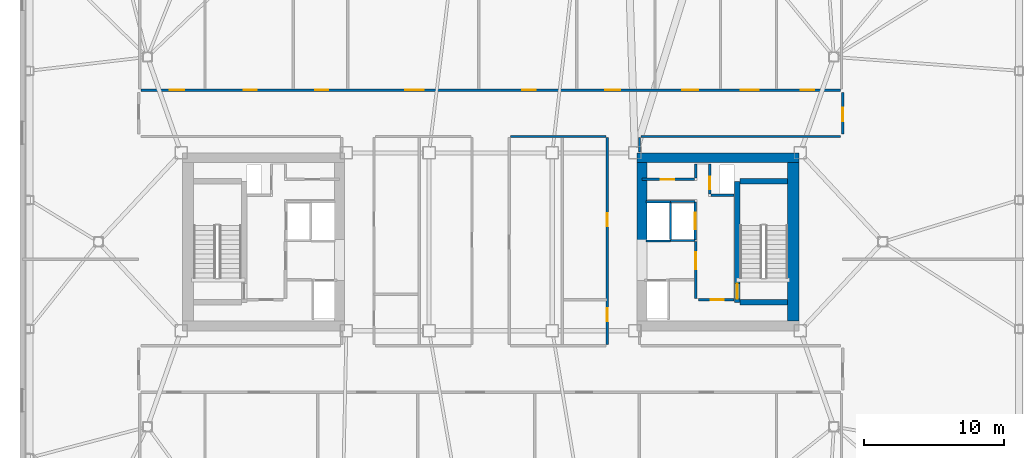
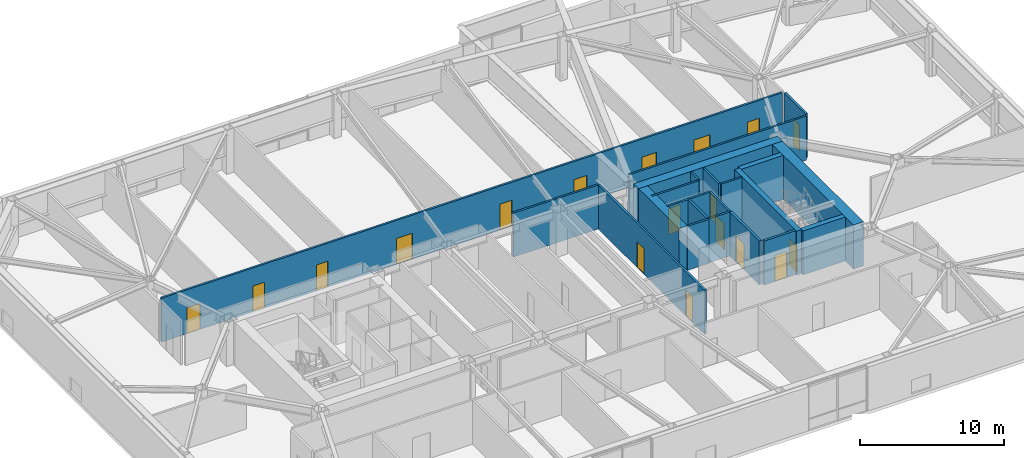
# One storey, part 12 of 19: 24 walls, 18 doors, 18 openings.
"""IFC4 building model written with IfcOpenShell, lengths in metres."""

from ifc_helpers import new_model, si_unit, direction, frame, frame_2d, origin, place, context, subcontext, project, spatial, rectangle, extrude, material, layer, layer_set, type_object, element, fill, save


model = new_model("IFC4")

# Units and contexts
model_context = context("Model", 3, precision=1e-05, world=origin(), true_north=direction((0.0, 1.0)))
body_context = subcontext(model_context, "Body", "Model", "MODEL_VIEW")
ifc_project = project(units=[si_unit("LENGTHUNIT", "METRE"), si_unit("AREAUNIT", "SQUARE_METRE"), si_unit("VOLUMEUNIT", "CUBIC_METRE"), si_unit("PLANEANGLEUNIT", "RADIAN"), si_unit("MASSUNIT", "GRAM", prefix="KILO")], contexts=[model_context])

# Site, building, storey
site_placement = place(None, origin())
site = spatial("IfcSite", under=ifc_project, at=site_placement, CompositionType="ELEMENT")
building_placement = place(site_placement, origin())
building = spatial("IfcBuilding", under=site, at=building_placement, Name="Tavrogorsk Clinical Tower", CompositionType="ELEMENT")
storey_placement = place(building_placement, frame((0.0, 0.0, 172.199951171875)))
storey = spatial("IfcBuildingStorey", under=building, at=storey_placement, Name="L39", CompositionType="ELEMENT", Elevation=172.199951171875)

# Wall, opening, door
ifc_material_1 = material(Name="Concrete B60", Category="concrete")
ifc_layer_1 = layer(ifc_material_1, 0.199951171875)
ifc_layer_set_1 = layer_set([ifc_layer_1], Name="Concrete B60")
wall_type_1 = type_object("IfcWallType", Name="CoreFireWall_200", PredefinedType="SOLIDWALL", material=ifc_layer_set_1)
wall_1_placement = place(storey_placement, frame((14.824951171875, -4.139892578125, 0.0), z_axis=(0.0, 0.0, 1.0), x_axis=(1.0, 0.0, 0.0)))
wall_1 = element("IfcWall", 1, at=wall_1_placement, inside=storey, type_object=wall_type_1, Name="L39 Core East South Core Room Fire Wall", PredefinedType="SOLIDWALL", context=body_context, shape_type="SweptSolid", body=[
    extrude(rectangle(XDim=2.554931640625, YDim=0.199951171875, at=frame_2d((1.27734375, 0.0))), origin(), (0.0, 0.0, 1.0), 3.739990234375),
])
opening_1_placement = place(wall_1_placement, frame((0.8798828125, 0.0, 0.0)))
opening_1 = element("IfcOpeningElement", 2, at=opening_1_placement, cuts=wall_1, Name="Opening ID-02", PredefinedType="OPENING", context=body_context, shape_type="SweptSolid", body=[
    extrude(rectangle(XDim=0.949951171875, YDim=2.199951171875, at=frame_2d((0.47509765625, 1.10009765625))), frame((0.0, 0.10986328125, 0.0), z_axis=(0.0, -1.0, 0.0), x_axis=(1.0, 0.0, 0.0)), (0.0, 0.0, 1.0), 0.219970703125),
])
ifc_material_2 = material(Name="Laminated timber leaf on aluminium frame", Category="wood")
door_type_1 = type_object("IfcDoorType", Name="InteriorDoor_ID02_950", OperationType="NOTDEFINED", PredefinedType="DOOR", material=ifc_material_2)
door_1_placement = place(opening_1_placement, origin())
door_1 = element("IfcDoor", 3, at=door_1_placement, inside=storey, type_object=door_type_1, Name="L39 Core East South Core Room Door", OperationType="SINGLE_SWING_RIGHT", OverallHeight=2.199951171875, OverallWidth=0.949951171875, PredefinedType="DOOR", context=body_context, shape_type="SweptSolid", body=[
    extrude(rectangle(XDim=0.949951171875, YDim=2.199951171875, at=frame_2d((0.47509765625, 1.10009765625))), frame((0.0, 0.02490234375, 0.0), z_axis=(0.0, -1.0, 0.0), x_axis=(1.0, 0.0, 0.0)), (0.0, 0.0, 1.0), 0.050048828125),
])
fill(opening_1, door_1)

wall_2_placement = place(storey_placement, frame((14.639892578125, -4.034912109375, 0.0), z_axis=(0.0, 0.0, 1.0), x_axis=(0.0, 1.0, 0.0)))
wall_2 = element("IfcWall", 4, at=wall_2_placement, inside=storey, type_object=wall_type_1, Name="L39 Core East Firefighting Lobby Fire Wall", PredefinedType="SOLIDWALL", context=body_context, shape_type="SweptSolid", body=[
    extrude(rectangle(XDim=4.074951171875, YDim=0.199951171875, at=frame_2d((2.03759765625, 0.0))), origin(), (0.0, 0.0, 1.0), 3.739990234375),
])
opening_2_placement = place(wall_2_placement, frame((2.090087890625, 0.0, 0.0)))
opening_2 = element("IfcOpeningElement", 5, at=opening_2_placement, cuts=wall_2, Name="Opening FD-01", PredefinedType="OPENING", context=body_context, shape_type="SweptSolid", body=[
    extrude(rectangle(XDim=1.199951171875, YDim=2.199951171875, at=frame_2d((0.60009765625, 1.10009765625))), frame((0.0, 0.10986328125, 0.0), z_axis=(0.0, -1.0, 0.0), x_axis=(1.0, 0.0, 0.0)), (0.0, 0.0, 1.0), 0.219970703125),
])
ifc_material_3 = material(Name="Galvanised steel fire-rated door assembly", Category="steel")
door_type_2 = type_object("IfcDoorType", Name="FireDoor_FD01_1200", OperationType="NOTDEFINED", PredefinedType="DOOR", material=ifc_material_3)
door_2_placement = place(opening_2_placement, origin())
door_2 = element("IfcDoor", 6, at=door_2_placement, inside=storey, type_object=door_type_2, Name="L39 Core East Firefighting Lobby Entry Door", OperationType="SINGLE_SWING_RIGHT", OverallHeight=2.199951171875, OverallWidth=1.199951171875, PredefinedType="DOOR", context=body_context, shape_type="SweptSolid", body=[
    extrude(rectangle(XDim=1.199951171875, YDim=2.199951171875, at=frame_2d((0.60009765625, 1.10009765625))), frame((0.0, 0.02490234375, 0.0), z_axis=(0.0, -1.0, 0.0), x_axis=(1.0, 0.0, 0.0)), (0.0, 0.0, 1.0), 0.050048828125),
])
fill(opening_2, door_2)

ifc_material_4 = material(Name="Lightweight concrete blockwork B15", Category="masonry")
ifc_layer_2 = layer(ifc_material_4, 0.159912109375)
ifc_layer_set_2 = layer_set([ifc_layer_2], Name="Lightweight concrete blockwork B15")
wall_type_2 = type_object("IfcWallType", Name="PartitionWall_160", PredefinedType="PARTITIONING", material=ifc_layer_set_2)
wall_3_placement = place(storey_placement, frame((10.800048828125, 4.4599609375, 0.0), z_axis=(0.0, 0.0, 1.0), x_axis=(1.0, 0.0, 0.0)))
wall_3 = element("IfcWall", 7, at=wall_3_placement, inside=storey, type_object=wall_type_2, Name="L39 Core East Pneumatic Dispatch South Wall", PredefinedType="PARTITIONING", context=body_context, shape_type="SweptSolid", body=[
    extrude(rectangle(XDim=3.7548828125, YDim=0.159912109375, at=frame_2d((1.87744140625, 0.0))), origin(), (0.0, 0.0, 1.0), 3.739990234375),
])
opening_3_placement = place(wall_3_placement, frame((1.35009765625, 0.0, 0.0)))
opening_3 = element("IfcOpeningElement", 8, at=opening_3_placement, cuts=wall_3, Name="Opening ID-02", PredefinedType="OPENING", context=body_context, shape_type="SweptSolid", body=[
    extrude(rectangle(XDim=0.949951171875, YDim=2.199951171875, at=frame_2d((0.47509765625, 1.10009765625))), frame((0.0, 0.08984375, 0.0), z_axis=(0.0, -1.0, 0.0), x_axis=(1.0, 0.0, 0.0)), (0.0, 0.0, 1.0), 0.179931640625),
])
door_3_placement = place(opening_3_placement, origin())
door_3 = element("IfcDoor", 9, at=door_3_placement, inside=storey, type_object=door_type_1, Name="L39 Core East Pneumatic Dispatch Door", OperationType="SINGLE_SWING_LEFT", OverallHeight=2.199951171875, OverallWidth=0.949951171875, PredefinedType="DOOR", context=body_context, shape_type="SweptSolid", body=[
    extrude(rectangle(XDim=0.949951171875, YDim=2.199951171875, at=frame_2d((0.47509765625, 1.10009765625))), frame((0.0, 0.02490234375, 0.0), z_axis=(0.0, -1.0, 0.0), x_axis=(1.0, 0.0, 0.0)), (0.0, 0.0, 1.0), 0.050048828125),
])
fill(opening_3, door_3)

# Wall
wall_4_placement = place(storey_placement, frame((14.639892578125, 4.544921875, 0.0), z_axis=(0.0, 0.0, 1.0), x_axis=(0.0, 1.0, 0.0)))
element("IfcWall", 10, at=wall_4_placement, inside=storey, type_object=wall_type_2, Name="L39 Core East Pneumatic Dispatch East Wall", PredefinedType="PARTITIONING", context=body_context, shape_type="SweptSolid", body=[
    extrude(rectangle(XDim=1.01513671875, YDim=0.159912109375, at=frame_2d((0.507568359375, 0.0))), origin(), (0.0, 0.0, 1.0), 3.739990234375),
])

# Wall, openings, doors
wall_5_placement = place(storey_placement, frame((-24.965087890625, 10.830078125, 0.0), z_axis=(0.0, 0.0, 1.0), x_axis=(1.0, 0.0, 0.0)))
wall_5 = element("IfcWall", 11, at=wall_5_placement, inside=storey, type_object=wall_type_2, Name="L39 Corridor Partition 07", PredefinedType="PARTITIONING", context=body_context, shape_type="SweptSolid", body=[
    extrude(rectangle(XDim=49.93017578125, YDim=0.159912109375, at=frame_2d((24.965087890625, 0.0))), origin(), (0.0, 0.0, 1.0), 3.739990234375),
])
opening_4_placement = place(wall_5_placement, frame((2.044189453125, 0.0, 0.0)))
opening_4 = element("IfcOpeningElement", 12, at=opening_4_placement, cuts=wall_5, Name="Opening ID-04", PredefinedType="OPENING", context=body_context, shape_type="SweptSolid", body=[
    extrude(rectangle(XDim=1.050048828125, YDim=2.199951171875, at=frame_2d((0.52490234375, 1.10009765625))), frame((0.0, 0.08984375, 0.0), z_axis=(0.0, -1.0, 0.0), x_axis=(1.0, 0.0, 0.0)), (0.0, 0.0, 1.0), 0.179931640625),
])
opening_5_placement = place(wall_5_placement, frame((7.330078125, 0.0, 0.0)))
opening_5 = element("IfcOpeningElement", 13, at=opening_5_placement, cuts=wall_5, Name="Opening ID-02", PredefinedType="OPENING", context=body_context, shape_type="SweptSolid", body=[
    extrude(rectangle(XDim=0.949951171875, YDim=2.199951171875, at=frame_2d((0.47509765625, 1.10009765625))), frame((0.0, 0.08984375, 0.0), z_axis=(0.0, -1.0, 0.0), x_axis=(1.0, 0.0, 0.0)), (0.0, 0.0, 1.0), 0.179931640625),
])
opening_6_placement = place(wall_5_placement, frame((12.429931640625, 0.0, 0.0)))
opening_6 = element("IfcOpeningElement", 14, at=opening_6_placement, cuts=wall_5, Name="Opening ID-02", PredefinedType="OPENING", context=body_context, shape_type="SweptSolid", body=[
    extrude(rectangle(XDim=0.949951171875, YDim=2.199951171875, at=frame_2d((0.47509765625, 1.10009765625))), frame((0.0, 0.08984375, 0.0), z_axis=(0.0, -1.0, 0.0), x_axis=(1.0, 0.0, 0.0)), (0.0, 0.0, 1.0), 0.179931640625),
])
opening_7_placement = place(wall_5_placement, frame((18.875, 0.0, 0.0)))
opening_7 = element("IfcOpeningElement", 15, at=opening_7_placement, cuts=wall_5, Name="Opening ID-01", PredefinedType="OPENING", context=body_context, shape_type="SweptSolid", body=[
    extrude(rectangle(XDim=1.300048828125, YDim=2.199951171875, at=frame_2d((0.64990234375, 1.10009765625))), frame((0.0, 0.08984375, 0.0), z_axis=(0.0, -1.0, 0.0), x_axis=(1.0, 0.0, 0.0)), (0.0, 0.0, 1.0), 0.179931640625),
])
opening_8_placement = place(wall_5_placement, frame((27.22509765625, 0.0, 0.0)))
opening_8 = element("IfcOpeningElement", 16, at=opening_8_placement, cuts=wall_5, Name="Opening ID-02", PredefinedType="OPENING", context=body_context, shape_type="SweptSolid", body=[
    extrude(rectangle(XDim=0.949951171875, YDim=2.199951171875, at=frame_2d((0.47509765625, 1.10009765625))), frame((0.0, 0.08984375, 0.0), z_axis=(0.0, -1.0, 0.0), x_axis=(1.0, 0.0, 0.0)), (0.0, 0.0, 1.0), 0.179931640625),
])
opening_9_placement = place(wall_5_placement, frame((33.152587890625, 0.0, 0.0)))
opening_9 = element("IfcOpeningElement", 17, at=opening_9_placement, cuts=wall_5, Name="Opening ID-04", PredefinedType="OPENING", context=body_context, shape_type="SweptSolid", body=[
    extrude(rectangle(XDim=1.050048828125, YDim=2.199951171875, at=frame_2d((0.52490234375, 1.10009765625))), frame((0.0, 0.08984375, 0.0), z_axis=(0.0, -1.0, 0.0), x_axis=(1.0, 0.0, 0.0)), (0.0, 0.0, 1.0), 0.179931640625),
])
opening_10_placement = place(wall_5_placement, frame((38.637451171875, 0.0, 0.0)))
opening_10 = element("IfcOpeningElement", 18, at=opening_10_placement, cuts=wall_5, Name="Opening ID-06", PredefinedType="OPENING", context=body_context, shape_type="SweptSolid", body=[
    extrude(rectangle(XDim=1.14990234375, YDim=2.199951171875, at=frame_2d((0.574951171875, 1.10009765625))), frame((0.0, 0.08984375, 0.0), z_axis=(0.0, -1.0, 0.0), x_axis=(1.0, 0.0, 0.0)), (0.0, 0.0, 1.0), 0.179931640625),
])
opening_11_placement = place(wall_5_placement, frame((42.800048828125, 0.0, 0.0)))
opening_11 = element("IfcOpeningElement", 19, at=opening_11_placement, cuts=wall_5, Name="Opening ID-01", PredefinedType="OPENING", context=body_context, shape_type="SweptSolid", body=[
    extrude(rectangle(XDim=1.300048828125, YDim=2.199951171875, at=frame_2d((0.64990234375, 1.10009765625))), frame((0.0, 0.08984375, 0.0), z_axis=(0.0, -1.0, 0.0), x_axis=(1.0, 0.0, 0.0)), (0.0, 0.0, 1.0), 0.179931640625),
])
opening_12_placement = place(wall_5_placement, frame((47.10595703125, 0.0, 0.0)))
opening_12 = element("IfcOpeningElement", 20, at=opening_12_placement, cuts=wall_5, Name="Opening ID-02", PredefinedType="OPENING", context=body_context, shape_type="SweptSolid", body=[
    extrude(rectangle(XDim=0.949951171875, YDim=2.199951171875, at=frame_2d((0.47509765625, 1.10009765625))), frame((0.0, 0.08984375, 0.0), z_axis=(0.0, -1.0, 0.0), x_axis=(1.0, 0.0, 0.0)), (0.0, 0.0, 1.0), 0.179931640625),
])
ifc_material_5 = material(Name="Antibacterial HPL consultation door on aluminium frame", Category="aluminium")
door_type_3 = type_object("IfcDoorType", Name="ConsultDoor_ID04_1050", OperationType="NOTDEFINED", PredefinedType="DOOR", material=ifc_material_5)
door_4_placement = place(opening_4_placement, origin())
door_4 = element("IfcDoor", 21, at=door_4_placement, inside=storey, type_object=door_type_3, Name="L39 North Physician Consultation Office 01 Door", OperationType="SINGLE_SWING_LEFT", OverallHeight=2.199951171875, OverallWidth=1.050048828125, PredefinedType="DOOR", context=body_context, shape_type="SweptSolid", body=[
    extrude(rectangle(XDim=1.050048828125, YDim=2.199951171875, at=frame_2d((0.52490234375, 1.10009765625))), frame((0.0, 0.02490234375, 0.0), z_axis=(0.0, -1.0, 0.0), x_axis=(1.0, 0.0, 0.0)), (0.0, 0.0, 1.0), 0.050048828125),
])
fill(opening_4, door_4)
door_5_placement = place(opening_9_placement, origin())
door_5 = element("IfcDoor", 22, at=door_5_placement, inside=storey, type_object=door_type_3, Name="L39 North Multidisciplinary Case Room 05A Door", OperationType="SINGLE_SWING_RIGHT", OverallHeight=2.199951171875, OverallWidth=1.050048828125, PredefinedType="DOOR", context=body_context, shape_type="SweptSolid", body=[
    extrude(rectangle(XDim=1.050048828125, YDim=2.199951171875, at=frame_2d((0.52490234375, 1.10009765625))), frame((0.0, 0.02490234375, 0.0), z_axis=(0.0, -1.0, 0.0), x_axis=(1.0, 0.0, 0.0)), (0.0, 0.0, 1.0), 0.050048828125),
])
fill(opening_9, door_5)
door_6_placement = place(opening_5_placement, origin())
door_6 = element("IfcDoor", 23, at=door_6_placement, inside=storey, type_object=door_type_1, Name="L39 North Patient & Family Quiet Lounge 02A Door", OperationType="SINGLE_SWING_RIGHT", OverallHeight=2.199951171875, OverallWidth=0.949951171875, PredefinedType="DOOR", context=body_context, shape_type="SweptSolid", body=[
    extrude(rectangle(XDim=0.949951171875, YDim=2.199951171875, at=frame_2d((0.47509765625, 1.10009765625))), frame((0.0, 0.02490234375, 0.0), z_axis=(0.0, -1.0, 0.0), x_axis=(1.0, 0.0, 0.0)), (0.0, 0.0, 1.0), 0.050048828125),
])
fill(opening_5, door_6)
door_7_placement = place(opening_6_placement, origin())
door_7 = element("IfcDoor", 24, at=door_7_placement, inside=storey, type_object=door_type_1, Name="L39 North Physiotherapy Rehab Studio 02B Door", OperationType="SINGLE_SWING_LEFT", OverallHeight=2.199951171875, OverallWidth=0.949951171875, PredefinedType="DOOR", context=body_context, shape_type="SweptSolid", body=[
    extrude(rectangle(XDim=0.949951171875, YDim=2.199951171875, at=frame_2d((0.47509765625, 1.10009765625))), frame((0.0, 0.02490234375, 0.0), z_axis=(0.0, -1.0, 0.0), x_axis=(1.0, 0.0, 0.0)), (0.0, 0.0, 1.0), 0.050048828125),
])
fill(opening_6, door_7)
door_8_placement = place(opening_8_placement, origin())
door_8 = element("IfcDoor", 25, at=door_8_placement, inside=storey, type_object=door_type_1, Name="L39 Terrace Recuperation Day Room & Lounge Door", OperationType="SINGLE_SWING_LEFT", OverallHeight=2.199951171875, OverallWidth=0.949951171875, PredefinedType="DOOR", context=body_context, shape_type="SweptSolid", body=[
    extrude(rectangle(XDim=0.949951171875, YDim=2.199951171875, at=frame_2d((0.47509765625, 1.10009765625))), frame((0.0, 0.02490234375, 0.0), z_axis=(0.0, -1.0, 0.0), x_axis=(1.0, 0.0, 0.0)), (0.0, 0.0, 1.0), 0.050048828125),
])
fill(opening_8, door_8)
door_9_placement = place(opening_12_placement, origin())
door_9 = element("IfcDoor", 26, at=door_9_placement, inside=storey, type_object=door_type_1, Name="L39 North Clinical Examination Suite 07 Door", OperationType="SINGLE_SWING_LEFT", OverallHeight=2.199951171875, OverallWidth=0.949951171875, PredefinedType="DOOR", context=body_context, shape_type="SweptSolid", body=[
    extrude(rectangle(XDim=0.949951171875, YDim=2.199951171875, at=frame_2d((0.47509765625, 1.10009765625))), frame((0.0, 0.02490234375, 0.0), z_axis=(0.0, -1.0, 0.0), x_axis=(1.0, 0.0, 0.0)), (0.0, 0.0, 1.0), 0.050048828125),
])
fill(opening_12, door_9)
ifc_material_6 = material(Name="Antibacterial HPL procedure door on aluminium frame", Category="aluminium")
door_type_4 = type_object("IfcDoorType", Name="LabDoor_ID06_1150", OperationType="NOTDEFINED", PredefinedType="DOOR", material=ifc_material_6)
door_10_placement = place(opening_10_placement, origin())
door_10 = element("IfcDoor", 27, at=door_10_placement, inside=storey, type_object=door_type_4, Name="L39 North Patient & Family Quiet Lounge 05B Door", OperationType="SINGLE_SWING_LEFT", OverallHeight=2.199951171875, OverallWidth=1.14990234375, PredefinedType="DOOR", context=body_context, shape_type="SweptSolid", body=[
    extrude(rectangle(XDim=1.14990234375, YDim=2.199951171875, at=frame_2d((0.574951171875, 1.10009765625))), frame((0.0, 0.02490234375, 0.0), z_axis=(0.0, -1.0, 0.0), x_axis=(1.0, 0.0, 0.0)), (0.0, 0.0, 1.0), 0.050048828125),
])
fill(opening_10, door_10)
ifc_material_7 = material(Name="Antibacterial HPL medical leaf on aluminium frame", Category="aluminium")
door_type_5 = type_object("IfcDoorType", Name="WardBedDoor_ID01_1300", OperationType="NOTDEFINED", PredefinedType="DOOR", material=ifc_material_7)
door_11_placement = place(opening_7_placement, origin())
door_11 = element("IfcDoor", 28, at=door_11_placement, inside=storey, type_object=door_type_5, Name="L39 North Acute Isolation Suite 03 Door", OperationType="SINGLE_SWING_RIGHT", OverallHeight=2.199951171875, OverallWidth=1.300048828125, PredefinedType="DOOR", context=body_context, shape_type="SweptSolid", body=[
    extrude(rectangle(XDim=1.300048828125, YDim=2.199951171875, at=frame_2d((0.64990234375, 1.10009765625))), frame((0.0, 0.02490234375, 0.0), z_axis=(0.0, -1.0, 0.0), x_axis=(1.0, 0.0, 0.0)), (0.0, 0.0, 1.0), 0.050048828125),
])
fill(opening_7, door_11)
door_12_placement = place(opening_11_placement, origin())
door_12 = element("IfcDoor", 29, at=door_12_placement, inside=storey, type_object=door_type_5, Name="L39 North Inpatient Clinical Ward 06 Door", OperationType="SINGLE_SWING_RIGHT", OverallHeight=2.199951171875, OverallWidth=1.300048828125, PredefinedType="DOOR", context=body_context, shape_type="SweptSolid", body=[
    extrude(rectangle(XDim=1.300048828125, YDim=2.199951171875, at=frame_2d((0.64990234375, 1.10009765625))), frame((0.0, 0.02490234375, 0.0), z_axis=(0.0, -1.0, 0.0), x_axis=(1.0, 0.0, 0.0)), (0.0, 0.0, 1.0), 0.050048828125),
])
fill(opening_11, door_12)

# Wall, opening, door
wall_6_placement = place(storey_placement, frame((25.1298828125, 10.6650390625, 0.0), z_axis=(0.0, 0.0, 1.0), x_axis=(0.0, -1.0, 0.0)))
wall_6 = element("IfcWall", 30, at=wall_6_placement, inside=storey, type_object=wall_type_2, Name="L39 Corridor Partition 08", PredefinedType="PARTITIONING", context=body_context, shape_type="SweptSolid", body=[
    extrude(rectangle(XDim=2.97998046875, YDim=0.159912109375, at=frame_2d((1.489990234375, 0.0))), origin(), (0.0, 0.0, 1.0), 3.739990234375),
])
opening_13_placement = place(wall_6_placement, frame((1.10009765625, 0.0, 0.0)))
opening_13 = element("IfcOpeningElement", 31, at=opening_13_placement, cuts=wall_6, Name="Opening ID-02", PredefinedType="OPENING", context=body_context, shape_type="SweptSolid", body=[
    extrude(rectangle(XDim=0.949951171875, YDim=2.199951171875, at=frame_2d((0.47509765625, 1.10009765625))), frame((0.0, 0.08984375, 0.0), z_axis=(0.0, -1.0, 0.0), x_axis=(1.0, 0.0, 0.0)), (0.0, 0.0, 1.0), 0.179931640625),
])
door_13_placement = place(opening_13_placement, origin())
door_13 = element("IfcDoor", 32, at=door_13_placement, inside=storey, type_object=door_type_1, Name="L39 E Multidisciplinary Seminar Suite 2 Door", OperationType="SINGLE_SWING_RIGHT", OverallHeight=2.199951171875, OverallWidth=0.949951171875, PredefinedType="DOOR", context=body_context, shape_type="SweptSolid", body=[
    extrude(rectangle(XDim=0.949951171875, YDim=2.199951171875, at=frame_2d((0.47509765625, 1.10009765625))), frame((0.0, 0.02490234375, 0.0), z_axis=(0.0, -1.0, 0.0), x_axis=(1.0, 0.0, 0.0)), (0.0, 0.0, 1.0), 0.050048828125),
])
fill(opening_13, door_13)

# Walls
wall_7_placement = place(storey_placement, frame((24.965087890625, 7.52001953125, 0.0), z_axis=(0.0, 0.0, 1.0), x_axis=(-1.0, 0.0, 0.0)))
element("IfcWall", 33, at=wall_7_placement, inside=storey, type_object=wall_type_2, Name="L39 Corridor Partition 09", PredefinedType="PARTITIONING", context=body_context, shape_type="SweptSolid", body=[
    extrude(rectangle(XDim=14.25, YDim=0.159912109375, at=frame_2d((7.125, 0.0))), origin(), (0.0, 0.0, 1.0), 3.739990234375),
])
wall_8_placement = place(storey_placement, frame((10.6298828125, 7.43505859375, 0.0), z_axis=(0.0, 0.0, 1.0), x_axis=(0.0, -1.0, 0.0)))
element("IfcWall", 34, at=wall_8_placement, inside=storey, type_object=wall_type_2, Name="L39 Corridor Partition 10", PredefinedType="PARTITIONING", context=body_context, shape_type="SweptSolid", body=[
    extrude(rectangle(XDim=1.01513671875, YDim=0.159912109375, at=frame_2d((0.507568359375, 0.0))), origin(), (0.0, 0.0, 1.0), 1.53515625),
])
wall_9_placement = place(storey_placement, frame((8.235107421875, 7.52001953125, 0.0), z_axis=(0.0, 0.0, 1.0), x_axis=(-1.0, 0.0, 0.0)))
element("IfcWall", 35, at=wall_9_placement, inside=storey, type_object=wall_type_2, Name="L39 Corridor Partition 15", PredefinedType="PARTITIONING", context=body_context, shape_type="SweptSolid", body=[
    extrude(rectangle(XDim=6.820068359375, YDim=0.159912109375, at=frame_2d((3.41015625, 0.0))), origin(), (0.0, 0.0, 1.0), 3.739990234375),
])

# Wall, openings, doors
wall_10_placement = place(storey_placement, frame((8.320068359375, -7.3349609375, 0.0), z_axis=(0.0, 0.0, 1.0), x_axis=(0.0, 1.0, 0.0)))
wall_10 = element("IfcWall", 36, at=wall_10_placement, inside=storey, type_object=wall_type_2, Name="L39 Corridor Partition 18", PredefinedType="PARTITIONING", context=body_context, shape_type="SweptSolid", body=[
    extrude(rectangle(XDim=14.77001953125, YDim=0.159912109375, at=frame_2d((7.385009765625, 0.0))), origin(), (0.0, 0.0, 1.0), 3.739990234375),
])
opening_14_placement = place(wall_10_placement, frame((1.654052734375, 0.0, 0.0)))
opening_14 = element("IfcOpeningElement", 37, at=opening_14_placement, cuts=wall_10, Name="Opening ID-02", PredefinedType="OPENING", context=body_context, shape_type="SweptSolid", body=[
    extrude(rectangle(XDim=0.949951171875, YDim=2.199951171875, at=frame_2d((0.47509765625, 1.10009765625))), frame((0.0, 0.08984375, 0.0), z_axis=(0.0, -1.0, 0.0), x_axis=(1.0, 0.0, 0.0)), (0.0, 0.0, 1.0), 0.179931640625),
])
opening_15_placement = place(wall_10_placement, frame((8.435791015625, 0.0, 0.0)))
opening_15 = element("IfcOpeningElement", 38, at=opening_15_placement, cuts=wall_10, Name="Opening ID-02", PredefinedType="OPENING", context=body_context, shape_type="SweptSolid", body=[
    extrude(rectangle(XDim=0.949951171875, YDim=2.199951171875, at=frame_2d((0.47509765625, 1.10009765625))), frame((0.0, 0.08984375, 0.0), z_axis=(0.0, -1.0, 0.0), x_axis=(1.0, 0.0, 0.0)), (0.0, 0.0, 1.0), 0.179931640625),
])
door_14_placement = place(opening_14_placement, origin())
door_14 = element("IfcDoor", 39, at=door_14_placement, inside=storey, type_object=door_type_1, Name="L39 Staff & Visitor Accessible WC Door", OperationType="SINGLE_SWING_LEFT", OverallHeight=2.199951171875, OverallWidth=0.949951171875, PredefinedType="DOOR", context=body_context, shape_type="SweptSolid", body=[
    extrude(rectangle(XDim=0.949951171875, YDim=2.199951171875, at=frame_2d((0.47509765625, 1.10009765625))), frame((0.0, 0.02490234375, 0.0), z_axis=(0.0, -1.0, 0.0), x_axis=(1.0, 0.0, 0.0)), (0.0, 0.0, 1.0), 0.050048828125),
])
fill(opening_14, door_14)
door_15_placement = place(opening_15_placement, origin())
door_15 = element("IfcDoor", 40, at=door_15_placement, inside=storey, type_object=door_type_1, Name="L39 Resident Clinician Study Door", OperationType="SINGLE_SWING_RIGHT", OverallHeight=2.199951171875, OverallWidth=0.949951171875, PredefinedType="DOOR", context=body_context, shape_type="SweptSolid", body=[
    extrude(rectangle(XDim=0.949951171875, YDim=2.199951171875, at=frame_2d((0.47509765625, 1.10009765625))), frame((0.0, 0.02490234375, 0.0), z_axis=(0.0, -1.0, 0.0), x_axis=(1.0, 0.0, 0.0)), (0.0, 0.0, 1.0), 0.050048828125),
])
fill(opening_15, door_15)

# Wall, opening, door
ifc_material_8 = material(Name="Lightweight concrete blockwork B25", Category="masonry")
ifc_layer_3 = layer(ifc_material_8, 0.159912109375)
ifc_layer_set_3 = layer_set([ifc_layer_3], Name="Lightweight concrete blockwork B25")
wall_type_3 = type_object("IfcWallType", Name="ShaftWall_160", PredefinedType="PARTITIONING", material=ifc_layer_set_3)
wall_11_placement = place(storey_placement, frame((14.60009765625, 0.1201171875, 0.0), z_axis=(0.0, 0.0, 1.0), x_axis=(0.0, 1.0, 0.0)))
wall_11 = element("IfcWall", 41, at=wall_11_placement, inside=storey, type_object=wall_type_3, Name="L39 FFL-E Firefighting Lift Front Wall", PredefinedType="PARTITIONING", context=body_context, shape_type="SweptSolid", body=[
    extrude(rectangle(XDim=2.739990234375, YDim=0.159912109375, at=frame_2d((1.3701171875, 0.0))), origin(), (0.0, 0.0, 1.0), 3.739990234375),
])
opening_16_placement = place(wall_11_placement, frame((0.77001953125, 0.0, 0.0)))
opening_16 = element("IfcOpeningElement", 42, at=opening_16_placement, cuts=wall_11, Name="Opening LD", PredefinedType="OPENING", context=body_context, shape_type="SweptSolid", body=[
    extrude(rectangle(XDim=1.199951171875, YDim=2.199951171875, at=frame_2d((0.60009765625, 1.10009765625))), frame((0.0, 0.08984375, 0.0), z_axis=(0.0, -1.0, 0.0), x_axis=(1.0, 0.0, 0.0)), (0.0, 0.0, 1.0), 0.179931640625),
])
ifc_material_9 = material(Name="Brushed stainless steel AISI 304 sliding doors", Category="steel")
door_type_6 = type_object("IfcDoorType", Name="LiftLandingDoor_LD_1200", OperationType="SLIDING_TO_LEFT", PredefinedType="DOOR", material=ifc_material_9)
door_16_placement = place(opening_16_placement, origin())
door_16 = element("IfcDoor", 43, at=door_16_placement, inside=storey, type_object=door_type_6, Name="L39 FFL-E Sliding Lift Landing Door", OperationType="SLIDING_TO_LEFT", OverallHeight=2.199951171875, OverallWidth=1.199951171875, PredefinedType="DOOR", context=body_context, shape_type="SweptSolid", body=[
    extrude(rectangle(XDim=1.199951171875, YDim=2.199951171875, at=frame_2d((0.60009765625, 1.10009765625))), frame((0.0, 0.02490234375, 0.0), z_axis=(0.0, -1.0, 0.0), x_axis=(1.0, 0.0, 0.0)), (0.0, 0.0, 1.0), 0.050048828125),
])
fill(opening_16, door_16)

# Walls
for number, where, z_axis, x_axis, name in (
    (44, (12.840087890625, 0.10009765625, 0.0), (0.0, 0.0, 1.0), (1.0, 0.0, 0.0), "L39 FFL-E Shaft South Wall"),
    (45, (12.840087890625, 2.8798828125, 0.0), (0.0, 0.0, 1.0), (1.0, 0.0, 0.0), "L39 FFL-E Shaft North Wall"),
):
    element("IfcWall", number, at=place(storey_placement, frame(where, z_axis=z_axis, x_axis=x_axis)), inside=storey, type_object=wall_type_3, Name=name, PredefinedType="PARTITIONING", context=body_context, shape_type="SweptSolid", body=[
        extrude(rectangle(XDim=1.760009765625, YDim=0.159912109375, at=frame_2d((0.8798828125, 0.0))), origin(), (0.0, 0.0, 1.0), 3.739990234375),
    ])
wall_12_placement = place(storey_placement, frame((12.840087890625, 0.179931640625, 0.0), z_axis=(0.0, 0.0, 1.0), x_axis=(0.0, 1.0, 0.0)))
element("IfcWall", 46, at=wall_12_placement, inside=storey, type_object=wall_type_3, Name="L39 FFL-E Shaft Back Wall", PredefinedType="PARTITIONING", context=body_context, shape_type="SweptSolid", body=[
    extrude(rectangle(XDim=2.6201171875, YDim=0.159912109375, at=frame_2d((1.31005859375, 0.0))), origin(), (0.0, 0.0, 1.0), 3.739990234375),
])
for number, where, z_axis, x_axis, name in (
    (47, (11.10009765625, 0.06005859375, 0.0), (0.0, 0.0, 1.0), (1.0, 0.0, 0.0), "L39 LP-H2 High-Zone Lift Portal Wall"),
    (48, (11.10009765625, 2.860107421875, 0.0), (0.0, 0.0, 1.0), (1.0, 0.0, 0.0), "L39 LP-H2 High-Zone Lift Rear Wall"),
):
    element("IfcWall", number, at=place(storey_placement, frame(where, z_axis=z_axis, x_axis=x_axis)), inside=storey, type_object=wall_type_3, Name=name, PredefinedType="PARTITIONING", context=body_context, shape_type="SweptSolid", body=[
        extrude(rectangle(XDim=1.719970703125, YDim=0.159912109375, at=frame_2d((0.85986328125, 0.0))), origin(), (0.0, 0.0, 1.0), 3.739990234375),
    ])

# Wall, opening, door
wall_13_placement = place(storey_placement, frame((15.639892578125, 3.405029296875, 0.0), z_axis=(0.0, 0.0, 1.0), x_axis=(0.0, 1.0, 0.0)))
wall_13 = element("IfcWall", 49, at=wall_13_placement, inside=storey, type_object=wall_type_3, Name="L39 Core East Riser West Wall", PredefinedType="PARTITIONING", context=body_context, shape_type="SweptSolid", body=[
    extrude(rectangle(XDim=2.155029296875, YDim=0.159912109375, at=frame_2d((1.07763671875, 0.0))), origin(), (0.0, 0.0, 1.0), 3.739990234375),
])
opening_17_placement = place(wall_13_placement, frame((0.35009765625, 0.0, 0.0)))
opening_17 = element("IfcOpeningElement", 50, at=opening_17_placement, cuts=wall_13, Name="Opening FD-02", PredefinedType="OPENING", context=body_context, shape_type="SweptSolid", body=[
    extrude(rectangle(XDim=0.89990234375, YDim=2.199951171875, at=frame_2d((0.449951171875, 1.10009765625))), frame((0.0, 0.08984375, 0.0), z_axis=(0.0, -1.0, 0.0), x_axis=(1.0, 0.0, 0.0)), (0.0, 0.0, 1.0), 0.179931640625),
])
ifc_material_10 = material(Name="Galvanised steel fire-rated door assembly", Category="steel")
door_type_7 = type_object("IfcDoorType", Name="FireDoor_FD02_900", OperationType="NOTDEFINED", PredefinedType="DOOR", material=ifc_material_10)
door_17_placement = place(opening_17_placement, origin())
door_17 = element("IfcDoor", 51, at=door_17_placement, inside=storey, type_object=door_type_7, Name="L39 Core East Electrical Riser Access Door", OperationType="SINGLE_SWING_LEFT", OverallHeight=2.199951171875, OverallWidth=0.89990234375, PredefinedType="DOOR", context=body_context, shape_type="SweptSolid", body=[
    extrude(rectangle(XDim=0.89990234375, YDim=2.199951171875, at=frame_2d((0.449951171875, 1.10009765625))), frame((0.0, 0.02490234375, 0.0), z_axis=(0.0, -1.0, 0.0), x_axis=(1.0, 0.0, 0.0)), (0.0, 0.0, 1.0), 0.050048828125),
])
fill(opening_17, door_17)

# Wall
wall_14_placement = place(storey_placement, frame((15.72509765625, 3.320068359375, 0.0), z_axis=(0.0, 0.0, 1.0), x_axis=(1.0, 0.0, 0.0)))
element("IfcWall", 52, at=wall_14_placement, inside=storey, type_object=wall_type_3, Name="L39 Core East Riser South Wall", PredefinedType="PARTITIONING", context=body_context, shape_type="SweptSolid", body=[
    extrude(rectangle(XDim=1.65478515625, YDim=0.159912109375, at=frame_2d((0.827392578125, 0.0))), origin(), (0.0, 0.0, 1.0), 3.739990234375),
])

# Wall, opening, door
ifc_material_11 = material(Name="Concrete B80", Category="concrete")
ifc_layer_4 = layer(ifc_material_11, 0.39990234375)
ifc_layer_set_4 = layer_set([ifc_layer_4], Name="Concrete B80")
wall_type_4 = type_object("IfcWallType", Name="ShearWall_400", PredefinedType="SHEAR", material=ifc_layer_set_4)
wall_15_placement = place(storey_placement, frame((17.60009765625, -4.324951171875, 0.0), z_axis=(0.0, 0.0, 1.0), x_axis=(0.0, 1.0, 0.0)))
wall_15 = element("IfcWall", 53, at=wall_15_placement, inside=storey, type_object=wall_type_4, Name="L39 Core East Stair Shaft Inner Shear Wall", PredefinedType="SHEAR", context=body_context, shape_type="SweptSolid", body=[
    extrude(rectangle(XDim=8.64990234375, YDim=0.39990234375, at=frame_2d((4.324951171875, 0.0))), origin(), (0.0, 0.0, 1.0), 3.739990234375),
])
opening_18_placement = place(wall_15_placement, frame((0.25, 0.0, 0.0)))
opening_18 = element("IfcOpeningElement", 54, at=opening_18_placement, cuts=wall_15, Name="Opening SD-01", PredefinedType="OPENING", context=body_context, shape_type="SweptSolid", body=[
    extrude(rectangle(XDim=1.10009765625, YDim=2.199951171875, at=frame_2d((0.550048828125, 1.10009765625))), frame((0.0, 0.2099609375, 0.0), z_axis=(0.0, -1.0, 0.0), x_axis=(1.0, 0.0, 0.0)), (0.0, 0.0, 1.0), 0.419921875),
])
ifc_material_12 = material(Name="Galvanised steel smoke-tight fire door assembly", Category="steel")
door_type_8 = type_object("IfcDoorType", Name="StairFireDoor_SD01_1100", OperationType="NOTDEFINED", PredefinedType="DOOR", material=ifc_material_12)
door_18_placement = place(opening_18_placement, origin())
door_18 = element("IfcDoor", 55, at=door_18_placement, inside=storey, type_object=door_type_8, Name="L39 ST-E Exit Stair Door", OperationType="SINGLE_SWING_LEFT", OverallHeight=2.199951171875, OverallWidth=1.10009765625, PredefinedType="DOOR", context=body_context, shape_type="SweptSolid", body=[
    extrude(rectangle(XDim=1.10009765625, YDim=2.199951171875, at=frame_2d((0.550048828125, 1.10009765625))), frame((0.0, 0.02490234375, 0.0), z_axis=(0.0, -1.0, 0.0), x_axis=(1.0, 0.0, 0.0)), (0.0, 0.0, 1.0), 0.050048828125),
])
fill(opening_18, door_18)

# Walls
for number, where, z_axis, x_axis, name in (
    (56, (17.800048828125, -4.324951171875, 0.0), (0.0, 0.0, 1.0), (1.0, 0.0, 0.0), "L39 Core East Stair Shaft South Shear Wall"),
    (57, (17.800048828125, 4.324951171875, 0.0), (0.0, 0.0, 1.0), (1.0, 0.0, 0.0), "L39 Core East Stair Shaft North Shear Wall"),
):
    element("IfcWall", number, at=place(storey_placement, frame(where, z_axis=z_axis, x_axis=x_axis)), inside=storey, type_object=wall_type_4, Name=name, PredefinedType="SHEAR", context=body_context, shape_type="SweptSolid", body=[
        extrude(rectangle(XDim=3.39990234375, YDim=0.39990234375, at=frame_2d((1.699951171875, 0.0))), origin(), (0.0, 0.0, 1.0), 3.739990234375),
    ])
ifc_material_13 = material(Name="Concrete B80", Category="concrete")
ifc_layer_5 = layer(ifc_material_13, 0.699951171875)
ifc_layer_set_5 = layer_set([ifc_layer_5], Name="Concrete B80")
wall_type_5 = type_object("IfcWallType", Name="ShearWall_700", PredefinedType="SHEAR", material=ifc_layer_set_5)
wall_16_placement = place(storey_placement, frame((10.449951171875, 6.0, 0.0), z_axis=(0.0, 0.0, 1.0), x_axis=(1.0, 0.0, 0.0)))
element("IfcWall", 58, at=wall_16_placement, inside=storey, type_object=wall_type_5, Name="L39 Core East North Shear Wall", PredefinedType="SHEAR", context=body_context, shape_type="SweptSolid", body=[
    extrude(rectangle(XDim=11.550048828125, YDim=0.699951171875, at=frame_2d((5.77490234375, 0.0))), origin(), (0.0, 0.0, 1.0), 3.739990234375),
])
wall_17_placement = place(storey_placement, frame((10.800048828125, 0.050048828125, 0.0), z_axis=(0.0, 0.0, 1.0), x_axis=(0.0, 1.0, 0.0)))
element("IfcWall", 59, at=wall_17_placement, inside=storey, type_object=wall_type_5, Name="L39 Core East Inner North Pier", PredefinedType="SHEAR", context=body_context, shape_type="SweptSolid", body=[
    extrude(rectangle(XDim=5.599853515625, YDim=0.699951171875, at=frame_2d((2.7998046875, 0.0))), origin(), (0.0, 0.0, 1.0), 3.739990234375),
])
ifc_material_14 = material(Name="Concrete B80", Category="concrete")
ifc_layer_6 = layer(ifc_material_14, 0.800048828125)
ifc_layer_set_6 = layer_set([ifc_layer_6], Name="Concrete B80")
wall_type_6 = type_object("IfcWallType", Name="ShearWall_800", PredefinedType="SHEAR", material=ifc_layer_set_6)
wall_18_placement = place(storey_placement, frame((21.60009765625, -5.64990234375, 0.0), z_axis=(0.0, 0.0, 1.0), x_axis=(0.0, 1.0, 0.0)))
element("IfcWall", 60, at=wall_18_placement, inside=storey, type_object=wall_type_6, Name="L39 Core East End Shear Wall", PredefinedType="SHEAR", context=body_context, shape_type="SweptSolid", body=[
    extrude(rectangle(XDim=11.2998046875, YDim=0.800048828125, at=frame_2d((5.64990234375, 0.0))), origin(), (0.0, 0.0, 1.0), 3.739990234375),
])

save(model, "model.ifc")
